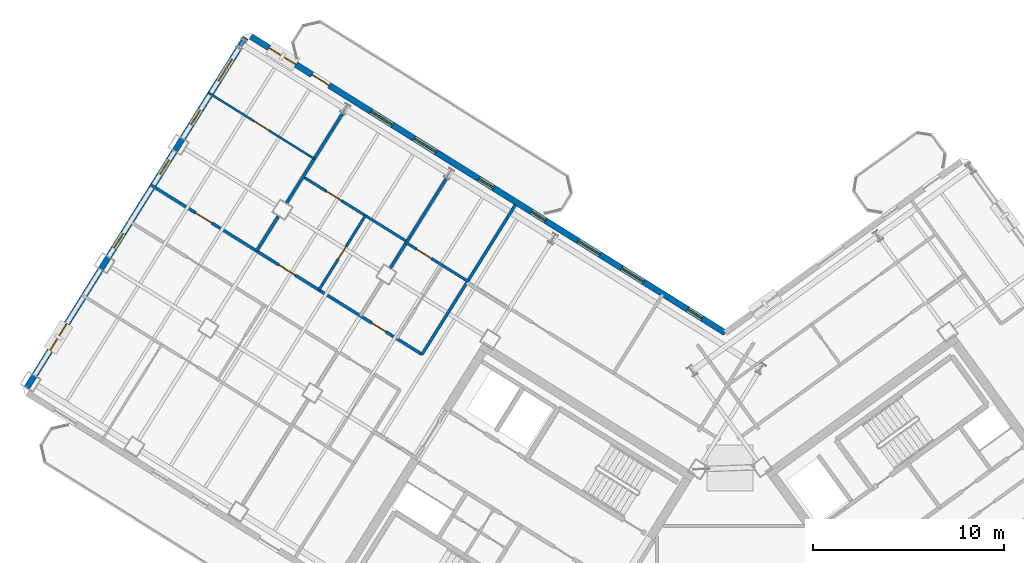
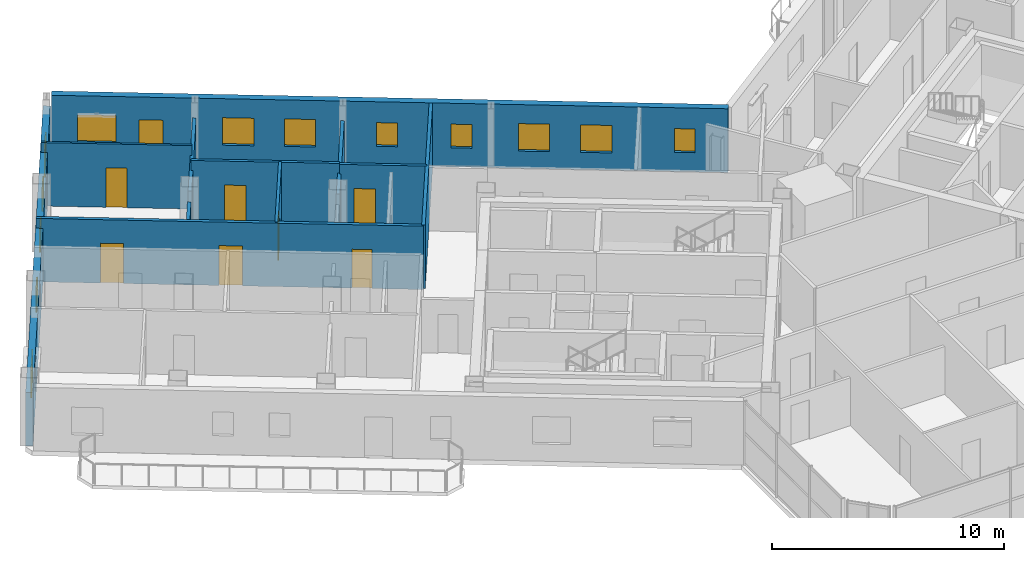
# One storey, part 17 of 23: 13 windows, 11 walls, 8 doors, 21 openings.
"""IFC4 building model written with IfcOpenShell, lengths in metres."""

from ifc_helpers import new_model, si_unit, direction, frame, frame_2d, origin, place, context, subcontext, project, spatial, rectangle, extrude, source, transform, mapped, material, layer, layer_set, type_object, element, fill, save


model = new_model("IFC4")

# Units and contexts
model_context = context("Model", 3, precision=1e-05, world=origin(), true_north=direction((0.0, 1.0)))
body_context = subcontext(model_context, "Body", "Model", "MODEL_VIEW")
ifc_project = project(units=[si_unit("LENGTHUNIT", "METRE"), si_unit("AREAUNIT", "SQUARE_METRE"), si_unit("VOLUMEUNIT", "CUBIC_METRE"), si_unit("PLANEANGLEUNIT", "RADIAN"), si_unit("MASSUNIT", "GRAM", prefix="KILO")], contexts=[model_context])

# Site, building, storey
site_placement = place(None, origin())
site = spatial("IfcSite", under=ifc_project, at=site_placement, CompositionType="ELEMENT")
building_placement = place(site_placement, origin())
building = spatial("IfcBuilding", under=site, at=building_placement, Name="Tlacorven Tower", CompositionType="ELEMENT")
storey_placement = place(building_placement, frame((0.0, 0.0, 218.39990234375)))
storey = spatial("IfcBuildingStorey", under=building, at=storey_placement, Name="L55", CompositionType="ELEMENT", Elevation=218.39990234375)

# Wall
ifc_material_1 = material(Name="Gypsum plasterboard acoustic partition", Category="gypsum")
ifc_layer_1 = layer(ifc_material_1, 0.159912109375)
ifc_layer_set_1 = layer_set([ifc_layer_1], Name="Gypsum plasterboard acoustic partition")
wall_type_1 = type_object("IfcWallType", Name="WL-DEM-160", PredefinedType="PARTITIONING", material=ifc_layer_set_1)
wall_1_placement = place(storey_placement, frame((31.238525390625, 38.27392578125, 0.0), z_axis=(0.0, 0.0, 1.0), x_axis=(-0.529920220799, -0.848047498427, 0.0)))
element("IfcWall", 1, at=wall_1_placement, inside=storey, type_object=wall_type_1, Name="L55 partition 40", PredefinedType="PARTITIONING", context=body_context, shape_type="SweptSolid", body=[
    extrude(rectangle(XDim=9.199951171875, YDim=0.159912109375, at=frame_2d((4.60009765625, 0.0))), origin(), (0.0, 0.0, 1.0), 3.340087890625),
])

# Wall, openings, doors
wall_2_placement = place(storey_placement, frame((26.36328125, 30.471923828125, 0.0), z_axis=(0.0, 0.0, 1.0), x_axis=(-0.848052408131, 0.529912363569, 0.0)))
wall_2 = element("IfcWall", 2, at=wall_2_placement, inside=storey, type_object=wall_type_1, Name="L55 Wing W Corridor South Wall", PredefinedType="PARTITIONING", context=body_context, shape_type="SweptSolid", body=[
    extrude(rectangle(XDim=16.72998046875, YDim=0.159912109375, at=frame_2d((8.364990234375, 0.0))), origin(), (0.0, 0.0, 1.0), 3.340087890625),
])
opening_1_placement = place(wall_2_placement, frame((2.219970703125, 0.0, 0.0)))
opening_1 = element("IfcOpeningElement", 3, at=opening_1_placement, cuts=wall_2, Name="Opening D19", PredefinedType="OPENING", context=body_context, shape_type="SweptSolid", body=[
    extrude(rectangle(XDim=0.860107421875, YDim=2.050048828125, at=frame_2d((0.43017578125, 1.02490234375))), frame((0.0, 0.08984375, 0.0), z_axis=(0.0, -1.0, 0.0), x_axis=(1.0, 0.0, 0.0)), (0.0, 0.0, 1.0), 0.179931640625),
])
opening_2_placement = place(wall_2_placement, frame((7.820068359375, 0.0, 0.0)))
opening_2 = element("IfcOpeningElement", 4, at=opening_2_placement, cuts=wall_2, Name="Opening D11", PredefinedType="OPENING", context=body_context, shape_type="SweptSolid", body=[
    extrude(rectangle(XDim=1.0, YDim=2.10009765625, at=frame_2d((0.5, 1.050048828125))), frame((0.0, 0.08984375, 0.0), z_axis=(0.0, -1.0, 0.0), x_axis=(1.0, 0.0, 0.0)), (0.0, 0.0, 1.0), 0.179931640625),
])
opening_3_placement = place(wall_2_placement, frame((12.949951171875, 0.0, 0.0)))
opening_3 = element("IfcOpeningElement", 5, at=opening_3_placement, cuts=wall_2, Name="Opening D11", PredefinedType="OPENING", context=body_context, shape_type="SweptSolid", body=[
    extrude(rectangle(XDim=1.0, YDim=2.10009765625, at=frame_2d((0.5, 1.050048828125))), frame((0.0, 0.08984375, 0.0), z_axis=(0.0, -1.0, 0.0), x_axis=(1.0, 0.0, 0.0)), (0.0, 0.0, 1.0), 0.179931640625),
])
ifc_material_2 = material(Name="Fire-rated steel door assembly", Category="steel")
door_type_1 = type_object("IfcDoorType", Name="DR-RSR-FD60-0860", OperationType="NOTDEFINED", PredefinedType="DOOR", material=ifc_material_2)
shared_shape_1 = source(origin(), body_context, "Body", "SweptSolid", [
    extrude(rectangle(XDim=0.860107421875, YDim=2.050048828125, at=frame_2d((0.43017578125, 1.02490234375))), frame((0.0, 0.02490234375, 0.0), z_axis=(0.0, -1.0, 0.0), x_axis=(1.0, 0.0, 0.0)), (0.0, 0.0, 1.0), 0.050048828125),
])
door_1_placement = place(opening_1_placement, origin())
door_1 = element("IfcDoor", 6, at=door_1_placement, inside=storey, type_object=door_type_1, Name="L55 door 030", OperationType="SINGLE_SWING_RIGHT", OverallHeight=2.050048828125, OverallWidth=0.860107421875, PredefinedType="DOOR", context=body_context, shape_type="MappedRepresentation", body=[
    mapped(shared_shape_1, transform((0.0, 0.0, 0.0), scale=1.0)),
])
fill(opening_1, door_1)
door_type_2 = type_object("IfcDoorType", Name="DR-FLT-FD60-1000", OperationType="NOTDEFINED", PredefinedType="DOOR", material=ifc_material_2)
shared_shape_2 = source(origin(), body_context, "Body", "SweptSolid", [
    extrude(rectangle(XDim=1.0, YDim=2.10009765625, at=frame_2d((0.5, 1.050048828125))), frame((0.0, 0.02490234375, 0.0), z_axis=(0.0, -1.0, 0.0), x_axis=(1.0, 0.0, 0.0)), (0.0, 0.0, 1.0), 0.050048828125),
])
door_2_placement = place(opening_2_placement, origin())
door_2 = element("IfcDoor", 7, at=door_2_placement, inside=storey, type_object=door_type_2, Name="L55 door 033", OperationType="SINGLE_SWING_LEFT", OverallHeight=2.10009765625, OverallWidth=1.0, PredefinedType="DOOR", context=body_context, shape_type="MappedRepresentation", body=[
    mapped(shared_shape_2, transform((0.0, 0.0, 0.0), scale=1.0)),
])
fill(opening_2, door_2)
door_3_placement = place(opening_3_placement, origin())
door_3 = element("IfcDoor", 8, at=door_3_placement, inside=storey, type_object=door_type_2, Name="L55 door 036", OperationType="SINGLE_SWING_RIGHT", OverallHeight=2.10009765625, OverallWidth=1.0, PredefinedType="DOOR", context=body_context, shape_type="MappedRepresentation", body=[
    mapped(shared_shape_2, transform((0.0, 0.0, 0.0), scale=1.0)),
])
fill(opening_3, door_3)

# Walls
wall_3_placement = place(storey_placement, frame((27.6337890625, 39.657470703125, 0.0), z_axis=(0.0, 0.0, 1.0), x_axis=(-0.529899205623, -0.848060629837, 0.0)))
element("IfcWall", 9, at=wall_3_placement, inside=storey, type_object=wall_type_1, Name="L55 WS Demising Wall 1", PredefinedType="PARTITIONING", context=body_context, shape_type="SweptSolid", body=[
    extrude(rectangle(XDim=5.501220703125, YDim=0.159912109375, at=frame_2d((2.75048828125, 0.0))), origin(), (0.0, 0.0, 1.0), 2.8251953125),
])
wall_4_placement = place(storey_placement, frame((22.206298828125, 43.048828125, 0.0), z_axis=(0.0, 0.0, 1.0), x_axis=(-0.529919150083, -0.848048167486, 0.0)))
element("IfcWall", 10, at=wall_4_placement, inside=storey, type_object=wall_type_1, Name="L55 WS Demising Wall 2", PredefinedType="PARTITIONING", context=body_context, shape_type="SweptSolid", body=[
    extrude(rectangle(XDim=5.5009765625, YDim=0.159912109375, at=frame_2d((2.75048828125, 0.0))), origin(), (0.0, 0.0, 1.0), 2.8251953125),
])
wall_5_placement = place(storey_placement, frame((18.8544921875, 37.684814453125, 0.0), z_axis=(0.0, 0.0, 1.0), x_axis=(-0.52989628283, -0.848062456098, 0.0)))
element("IfcWall", 11, at=wall_5_placement, inside=storey, type_object=wall_type_1, Name="L55 WS Demising Wall 2", PredefinedType="PARTITIONING", context=body_context, shape_type="SweptSolid", body=[
    extrude(rectangle(XDim=2.1376953125, YDim=0.159912109375, at=frame_2d((1.06884765625, 0.0))), origin(), (0.0, 0.0, 1.0), 2.8251953125),
])

# Wall, openings, windows
ifc_material_3 = material(Name="Precast concrete C45/55", Category="concrete")
ifc_layer_2 = layer(ifc_material_3, 0.320068359375)
ifc_layer_set_2 = layer_set([ifc_layer_2], Name="Precast concrete C45/55")
wall_type_2 = type_object("IfcWallType", Name="WL-EXT-320", PredefinedType="STANDARD", material=ifc_layer_set_2)
wall_6_placement = place(storey_placement, frame((5.699951171875, 28.71044921875, 0.0), z_axis=(0.0, 0.0, 1.0), x_axis=(0.529923711467, 0.8480453172, 0.0)))
wall_6 = element("IfcWall", 12, at=wall_6_placement, inside=storey, type_object=wall_type_2, Name="L55 Masonry-Frame Recessed Facade Wall 2", PredefinedType="STANDARD", context=body_context, shape_type="SweptSolid", body=[
    extrude(rectangle(XDim=21.58740234375, YDim=0.320068359375, at=frame_2d((10.793701171875, 0.0))), origin(), (0.0, 0.0, 1.0), 2.8251953125),
])
opening_4_placement = place(wall_6_placement, frame((2.318603515625, 0.0, 0.89990234375)))
opening_4 = element("IfcOpeningElement", 13, at=opening_4_placement, cuts=wall_6, Name="Opening WN07", PredefinedType="OPENING", context=body_context, shape_type="SweptSolid", body=[
    extrude(rectangle(XDim=1.64990234375, YDim=1.449951171875, at=frame_2d((0.824951171875, 0.72509765625))), frame((0.0, 0.169921875, 0.0), z_axis=(0.0, -1.0, 0.0), x_axis=(1.0, 0.0, 0.0)), (0.0, 0.0, 1.0), 0.340087890625),
])
opening_5_placement = place(wall_6_placement, frame((8.628662109375, 0.0, 1.0)))
opening_5 = element("IfcOpeningElement", 14, at=opening_5_placement, cuts=wall_6, Name="Opening WN05", PredefinedType="OPENING", context=body_context, shape_type="SweptSolid", body=[
    extrude(rectangle(XDim=0.89990234375, YDim=1.25, at=frame_2d((0.449951171875, 0.625))), frame((0.0, 0.169921875, 0.0), z_axis=(0.0, -1.0, 0.0), x_axis=(1.0, 0.0, 0.0)), (0.0, 0.0, 1.0), 0.340087890625),
])
opening_6_placement = place(wall_6_placement, frame((13.15869140625, 0.0, 1.0)))
opening_6 = element("IfcOpeningElement", 15, at=opening_6_placement, cuts=wall_6, Name="Opening WN05", PredefinedType="OPENING", context=body_context, shape_type="SweptSolid", body=[
    extrude(rectangle(XDim=0.89990234375, YDim=1.25, at=frame_2d((0.449951171875, 0.625))), frame((0.0, 0.169921875, 0.0), z_axis=(0.0, -1.0, 0.0), x_axis=(1.0, 0.0, 0.0)), (0.0, 0.0, 1.0), 0.340087890625),
])
opening_7_placement = place(wall_6_placement, frame((16.232177734375, 0.0, 1.0)))
opening_7 = element("IfcOpeningElement", 16, at=opening_7_placement, cuts=wall_6, Name="Opening WN05", PredefinedType="OPENING", context=body_context, shape_type="SweptSolid", body=[
    extrude(rectangle(XDim=0.89990234375, YDim=1.25, at=frame_2d((0.449951171875, 0.625))), frame((0.0, 0.169921875, 0.0), z_axis=(0.0, -1.0, 0.0), x_axis=(1.0, 0.0, 0.0)), (0.0, 0.0, 1.0), 0.340087890625),
])
opening_8_placement = place(wall_6_placement, frame((18.9248046875, 0.0, 0.89990234375)))
opening_8 = element("IfcOpeningElement", 17, at=opening_8_placement, cuts=wall_6, Name="Opening WN08", PredefinedType="OPENING", context=body_context, shape_type="SweptSolid", body=[
    extrude(rectangle(XDim=1.35009765625, YDim=1.449951171875, at=frame_2d((0.675048828125, 0.72509765625))), frame((0.0, 0.169921875, 0.0), z_axis=(0.0, -1.0, 0.0), x_axis=(1.0, 0.0, 0.0)), (0.0, 0.0, 1.0), 0.340087890625),
])
ifc_material_4 = material(Name="Dark solar low-E double glazing in anodised aluminium frame", Category="aluminium")
window_type_1 = type_object("IfcWindowType", Name="WN-APT-0900X1350", PartitioningType="SINGLE_PANEL", PredefinedType="WINDOW", material=ifc_material_4)
shared_shape_3 = source(origin(), body_context, "Body", "SweptSolid", [
    extrude(rectangle(XDim=0.89990234375, YDim=1.25, at=frame_2d((0.449951171875, 0.625))), frame((0.0, 0.030029296875, 0.0), z_axis=(0.0, -1.0, 0.0), x_axis=(1.0, 0.0, 0.0)), (0.0, 0.0, 1.0), 0.06005859375),
])
window_1_placement = place(opening_5_placement, origin())
window_1 = element("IfcWindow", 18, at=window_1_placement, inside=storey, type_object=window_type_1, Name="L55 Recessed Masonry-Frame Window L55-02.2", OverallHeight=1.25, OverallWidth=0.89990234375, PartitioningType="SINGLE_PANEL", PredefinedType="WINDOW", context=body_context, shape_type="MappedRepresentation", body=[
    mapped(shared_shape_3, transform((0.0, 0.0, 0.0), scale=1.0)),
])
fill(opening_5, window_1)
window_2_placement = place(opening_6_placement, origin())
window_2 = element("IfcWindow", 19, at=window_2_placement, inside=storey, type_object=window_type_1, Name="L55 Recessed Masonry-Frame Window L55-02.3", OverallHeight=1.25, OverallWidth=0.89990234375, PartitioningType="SINGLE_PANEL", PredefinedType="WINDOW", context=body_context, shape_type="MappedRepresentation", body=[
    mapped(shared_shape_3, transform((0.0, 0.0, 0.0), scale=1.0)),
])
fill(opening_6, window_2)
window_3_placement = place(opening_7_placement, origin())
window_3 = element("IfcWindow", 20, at=window_3_placement, inside=storey, type_object=window_type_1, Name="L55 Recessed Masonry-Frame Window L55-02.4", OverallHeight=1.25, OverallWidth=0.89990234375, PartitioningType="SINGLE_PANEL", PredefinedType="WINDOW", context=body_context, shape_type="MappedRepresentation", body=[
    mapped(shared_shape_3, transform((0.0, 0.0, 0.0), scale=1.0)),
])
fill(opening_7, window_3)
window_type_2 = type_object("IfcWindowType", Name="WN-APT-1650X1600", PartitioningType="SINGLE_PANEL", PredefinedType="WINDOW", material=ifc_material_4)
shared_shape_4 = source(origin(), body_context, "Body", "SweptSolid", [
    extrude(rectangle(XDim=1.64990234375, YDim=1.449951171875, at=frame_2d((0.824951171875, 0.72509765625))), frame((0.0, 0.030029296875, 0.0), z_axis=(0.0, -1.0, 0.0), x_axis=(1.0, 0.0, 0.0)), (0.0, 0.0, 1.0), 0.06005859375),
])
window_4_placement = place(opening_4_placement, origin())
window_4 = element("IfcWindow", 21, at=window_4_placement, inside=storey, type_object=window_type_2, Name="L55 Recessed Masonry-Frame Window L55-02.1", OverallHeight=1.449951171875, OverallWidth=1.64990234375, PartitioningType="SINGLE_PANEL", PredefinedType="WINDOW", context=body_context, shape_type="MappedRepresentation", body=[
    mapped(shared_shape_4, transform((0.0, 0.0, 0.0), scale=1.0)),
])
fill(opening_4, window_4)
window_type_3 = type_object("IfcWindowType", Name="WN-APT-1350X1550", PartitioningType="SINGLE_PANEL", PredefinedType="WINDOW", material=ifc_material_4)
shared_shape_5 = source(origin(), body_context, "Body", "SweptSolid", [
    extrude(rectangle(XDim=1.35009765625, YDim=1.449951171875, at=frame_2d((0.675048828125, 0.72509765625))), frame((0.0, 0.030029296875, 0.0), z_axis=(0.0, -1.0, 0.0), x_axis=(1.0, 0.0, 0.0)), (0.0, 0.0, 1.0), 0.06005859375),
])
window_5_placement = place(opening_8_placement, origin())
window_5 = element("IfcWindow", 22, at=window_5_placement, inside=storey, type_object=window_type_3, Name="L55 Recessed Masonry-Frame Window L55-02.5", OverallHeight=1.449951171875, OverallWidth=1.35009765625, PartitioningType="SINGLE_PANEL", PredefinedType="WINDOW", context=body_context, shape_type="MappedRepresentation", body=[
    mapped(shared_shape_5, transform((0.0, 0.0, 0.0), scale=1.0)),
])
fill(opening_8, window_5)

# Wall, openings, door, windows
wall_7_placement = place(storey_placement, frame((17.423828125, 47.083251953125, 0.0), z_axis=(0.0, 0.0, 1.0), x_axis=(0.848049927979, -0.529916332693, 0.0)))
wall_7 = element("IfcWall", 23, at=wall_7_placement, inside=storey, type_object=wall_type_2, Name="L55 Masonry-Frame Recessed Facade Wall 3", PredefinedType="STANDARD", context=body_context, shape_type="SweptSolid", body=[
    extrude(rectangle(XDim=29.22314453125, YDim=0.320068359375, at=frame_2d((14.611572265625, 0.0))), origin(), (0.0, 0.0, 1.0), 3.35009765625),
])
opening_9_placement = place(wall_7_placement, frame((3.77001953125, 0.0, 0.0)))
opening_9 = element("IfcOpeningElement", 24, at=opening_9_placement, cuts=wall_7, Name="Opening D06", PredefinedType="OPENING", context=body_context, shape_type="SweptSolid", body=[
    extrude(rectangle(XDim=1.050048828125, YDim=2.14990234375, at=frame_2d((0.52490234375, 1.074951171875))), frame((0.0, 0.169921875, 0.0), z_axis=(0.0, -1.0, 0.0), x_axis=(1.0, 0.0, 0.0)), (0.0, 0.0, 1.0), 0.340087890625),
])
opening_10_placement = place(wall_7_placement, frame((1.125, 0.0, 0.89990234375)))
opening_10 = element("IfcOpeningElement", 25, at=opening_10_placement, cuts=wall_7, Name="Opening WN07", PredefinedType="OPENING", context=body_context, shape_type="SweptSolid", body=[
    extrude(rectangle(XDim=1.64990234375, YDim=1.449951171875, at=frame_2d((0.824951171875, 0.72509765625))), frame((0.0, 0.169921875, 0.0), z_axis=(0.0, -1.0, 0.0), x_axis=(1.0, 0.0, 0.0)), (0.0, 0.0, 1.0), 0.340087890625),
])
opening_11_placement = place(wall_7_placement, frame((7.3837890625, 0.0, 0.89990234375)))
opening_11 = element("IfcOpeningElement", 26, at=opening_11_placement, cuts=wall_7, Name="Opening WN08", PredefinedType="OPENING", context=body_context, shape_type="SweptSolid", body=[
    extrude(rectangle(XDim=1.35009765625, YDim=1.449951171875, at=frame_2d((0.675048828125, 0.72509765625))), frame((0.0, 0.169921875, 0.0), z_axis=(0.0, -1.0, 0.0), x_axis=(1.0, 0.0, 0.0)), (0.0, 0.0, 1.0), 0.340087890625),
])
opening_12_placement = place(wall_7_placement, frame((10.0537109375, 0.0, 0.89990234375)))
opening_12 = element("IfcOpeningElement", 27, at=opening_12_placement, cuts=wall_7, Name="Opening WN08", PredefinedType="OPENING", context=body_context, shape_type="SweptSolid", body=[
    extrude(rectangle(XDim=1.35009765625, YDim=1.449951171875, at=frame_2d((0.675048828125, 0.72509765625))), frame((0.0, 0.169921875, 0.0), z_axis=(0.0, -1.0, 0.0), x_axis=(1.0, 0.0, 0.0)), (0.0, 0.0, 1.0), 0.340087890625),
])
opening_13_placement = place(wall_7_placement, frame((14.038818359375, 0.0, 1.0)))
opening_13 = element("IfcOpeningElement", 28, at=opening_13_placement, cuts=wall_7, Name="Opening WN05", PredefinedType="OPENING", context=body_context, shape_type="SweptSolid", body=[
    extrude(rectangle(XDim=0.89990234375, YDim=1.25, at=frame_2d((0.449951171875, 0.625))), frame((0.0, 0.169921875, 0.0), z_axis=(0.0, -1.0, 0.0), x_axis=(1.0, 0.0, 0.0)), (0.0, 0.0, 1.0), 0.340087890625),
])
opening_14_placement = place(wall_7_placement, frame((17.253662109375, 0.0, 1.0)))
opening_14 = element("IfcOpeningElement", 29, at=opening_14_placement, cuts=wall_7, Name="Opening WN05", PredefinedType="OPENING", context=body_context, shape_type="SweptSolid", body=[
    extrude(rectangle(XDim=0.89990234375, YDim=1.25, at=frame_2d((0.449951171875, 0.625))), frame((0.0, 0.169921875, 0.0), z_axis=(0.0, -1.0, 0.0), x_axis=(1.0, 0.0, 0.0)), (0.0, 0.0, 1.0), 0.340087890625),
])
opening_15_placement = place(wall_7_placement, frame((20.1611328125, 0.0, 0.89990234375)))
opening_15 = element("IfcOpeningElement", 30, at=opening_15_placement, cuts=wall_7, Name="Opening WN08", PredefinedType="OPENING", context=body_context, shape_type="SweptSolid", body=[
    extrude(rectangle(XDim=1.35009765625, YDim=1.449951171875, at=frame_2d((0.675048828125, 0.72509765625))), frame((0.0, 0.169921875, 0.0), z_axis=(0.0, -1.0, 0.0), x_axis=(1.0, 0.0, 0.0)), (0.0, 0.0, 1.0), 0.340087890625),
])
opening_16_placement = place(wall_7_placement, frame((22.84619140625, 0.0, 0.89990234375)))
opening_16 = element("IfcOpeningElement", 31, at=opening_16_placement, cuts=wall_7, Name="Opening WN08", PredefinedType="OPENING", context=body_context, shape_type="SweptSolid", body=[
    extrude(rectangle(XDim=1.35009765625, YDim=1.449951171875, at=frame_2d((0.675048828125, 0.72509765625))), frame((0.0, 0.169921875, 0.0), z_axis=(0.0, -1.0, 0.0), x_axis=(1.0, 0.0, 0.0)), (0.0, 0.0, 1.0), 0.340087890625),
])
opening_17_placement = place(wall_7_placement, frame((26.8984375, 0.0, 1.0)))
opening_17 = element("IfcOpeningElement", 32, at=opening_17_placement, cuts=wall_7, Name="Opening WN05", PredefinedType="OPENING", context=body_context, shape_type="SweptSolid", body=[
    extrude(rectangle(XDim=0.89990234375, YDim=1.25, at=frame_2d((0.449951171875, 0.625))), frame((0.0, 0.169921875, 0.0), z_axis=(0.0, -1.0, 0.0), x_axis=(1.0, 0.0, 0.0)), (0.0, 0.0, 1.0), 0.340087890625),
])
ifc_material_5 = material(Name="Powder-coated aluminium and timber door", Category="wood")
door_type_3 = type_object("IfcDoorType", Name="DR-EXT-BALC-1050", OperationType="NOTDEFINED", PredefinedType="DOOR", material=ifc_material_5)
shared_shape_6 = source(origin(), body_context, "Body", "SweptSolid", [
    extrude(rectangle(XDim=1.050048828125, YDim=2.14990234375, at=frame_2d((0.52490234375, 1.074951171875))), frame((0.0, 0.02490234375, 0.0), z_axis=(0.0, -1.0, 0.0), x_axis=(1.0, 0.0, 0.0)), (0.0, 0.0, 1.0), 0.050048828125),
])
door_4_placement = place(opening_9_placement, origin())
door_4 = element("IfcDoor", 33, at=door_4_placement, inside=storey, type_object=door_type_3, Name="L55 Outdoor Access Door BAL-L55-W-IN", OperationType="SINGLE_SWING_RIGHT", OverallHeight=2.14990234375, OverallWidth=1.050048828125, PredefinedType="DOOR", context=body_context, shape_type="MappedRepresentation", body=[
    mapped(shared_shape_6, transform((0.0, 0.0, 0.0), scale=1.0)),
])
fill(opening_9, door_4)
window_6_placement = place(opening_13_placement, origin())
window_6 = element("IfcWindow", 34, at=window_6_placement, inside=storey, type_object=window_type_1, Name="L55 Recessed Masonry-Frame Window L55-03.4", OverallHeight=1.25, OverallWidth=0.89990234375, PartitioningType="SINGLE_PANEL", PredefinedType="WINDOW", context=body_context, shape_type="MappedRepresentation", body=[
    mapped(shared_shape_3, transform((0.0, 0.0, 0.0), scale=1.0)),
])
fill(opening_13, window_6)
window_7_placement = place(opening_14_placement, origin())
window_7 = element("IfcWindow", 35, at=window_7_placement, inside=storey, type_object=window_type_1, Name="L55 Recessed Masonry-Frame Window L55-03.5", OverallHeight=1.25, OverallWidth=0.89990234375, PartitioningType="SINGLE_PANEL", PredefinedType="WINDOW", context=body_context, shape_type="MappedRepresentation", body=[
    mapped(shared_shape_3, transform((0.0, 0.0, 0.0), scale=1.0)),
])
fill(opening_14, window_7)
window_8_placement = place(opening_17_placement, origin())
window_8 = element("IfcWindow", 36, at=window_8_placement, inside=storey, type_object=window_type_1, Name="L55 Recessed Masonry-Frame Window L55-03.8", OverallHeight=1.25, OverallWidth=0.89990234375, PartitioningType="SINGLE_PANEL", PredefinedType="WINDOW", context=body_context, shape_type="MappedRepresentation", body=[
    mapped(shared_shape_3, transform((0.0, 0.0, 0.0), scale=1.0)),
])
fill(opening_17, window_8)
window_9_placement = place(opening_10_placement, origin())
window_9 = element("IfcWindow", 37, at=window_9_placement, inside=storey, type_object=window_type_2, Name="L55 Recessed Masonry-Frame Window L55-03.1", OverallHeight=1.449951171875, OverallWidth=1.64990234375, PartitioningType="SINGLE_PANEL", PredefinedType="WINDOW", context=body_context, shape_type="MappedRepresentation", body=[
    mapped(shared_shape_4, transform((0.0, 0.0, 0.0), scale=1.0)),
])
fill(opening_10, window_9)
window_10_placement = place(opening_11_placement, origin())
window_10 = element("IfcWindow", 38, at=window_10_placement, inside=storey, type_object=window_type_3, Name="L55 Recessed Masonry-Frame Window L55-03.2", OverallHeight=1.449951171875, OverallWidth=1.35009765625, PartitioningType="SINGLE_PANEL", PredefinedType="WINDOW", context=body_context, shape_type="MappedRepresentation", body=[
    mapped(shared_shape_5, transform((0.0, 0.0, 0.0), scale=1.0)),
])
fill(opening_11, window_10)
window_11_placement = place(opening_12_placement, origin())
window_11 = element("IfcWindow", 39, at=window_11_placement, inside=storey, type_object=window_type_3, Name="L55 Recessed Masonry-Frame Window L55-03.3", OverallHeight=1.449951171875, OverallWidth=1.35009765625, PartitioningType="SINGLE_PANEL", PredefinedType="WINDOW", context=body_context, shape_type="MappedRepresentation", body=[
    mapped(shared_shape_5, transform((0.0, 0.0, 0.0), scale=1.0)),
])
fill(opening_12, window_11)
window_12_placement = place(opening_15_placement, origin())
window_12 = element("IfcWindow", 40, at=window_12_placement, inside=storey, type_object=window_type_3, Name="L55 Recessed Masonry-Frame Window L55-03.6", OverallHeight=1.449951171875, OverallWidth=1.35009765625, PartitioningType="SINGLE_PANEL", PredefinedType="WINDOW", context=body_context, shape_type="MappedRepresentation", body=[
    mapped(shared_shape_5, transform((0.0, 0.0, 0.0), scale=1.0)),
])
fill(opening_15, window_12)
window_13_placement = place(opening_16_placement, origin())
window_13 = element("IfcWindow", 41, at=window_13_placement, inside=storey, type_object=window_type_3, Name="L55 Recessed Masonry-Frame Window L55-03.7", OverallHeight=1.449951171875, OverallWidth=1.35009765625, PartitioningType="SINGLE_PANEL", PredefinedType="WINDOW", context=body_context, shape_type="MappedRepresentation", body=[
    mapped(shared_shape_5, transform((0.0, 0.0, 0.0), scale=1.0)),
])
fill(opening_16, window_13)

# Wall, opening, door
ifc_material_6 = material(Name="Gypsum plasterboard partition", Category="gypsum")
ifc_layer_3 = layer(ifc_material_6, 0.110107421875)
ifc_layer_set_3 = layer_set([ifc_layer_3], Name="Gypsum plasterboard partition")
wall_type_3 = type_object("IfcWallType", Name="WL-INT-110", PredefinedType="PARTITIONING", material=ifc_layer_set_3)
wall_8_placement = place(storey_placement, frame((20.732666015625, 40.6904296875, 0.0), z_axis=(0.0, 0.0, 1.0), x_axis=(-0.848048787466, 0.529918157905, 0.0)))
wall_8 = element("IfcWall", 42, at=wall_8_placement, inside=storey, type_object=wall_type_3, Name="L55 partition 57", PredefinedType="PARTITIONING", context=body_context, shape_type="SweptSolid", body=[
    extrude(rectangle(XDim=6.52001953125, YDim=0.110107421875, at=frame_2d((3.260009765625, 0.0))), origin(), (0.0, 0.0, 1.0), 3.340087890625),
])
opening_18_placement = place(wall_8_placement, frame((2.800048828125, 0.0, 0.0)))
opening_18 = element("IfcOpeningElement", 43, at=opening_18_placement, cuts=wall_8, Name="Opening D12", PredefinedType="OPENING", context=body_context, shape_type="SweptSolid", body=[
    extrude(rectangle(XDim=0.919921875, YDim=2.080078125, at=frame_2d((0.4599609375, 1.0400390625))), frame((0.0, 0.06494140625, 0.0), z_axis=(0.0, -1.0, 0.0), x_axis=(1.0, 0.0, 0.0)), (0.0, 0.0, 1.0), 0.130126953125),
])
door_type_4 = type_object("IfcDoorType", Name="DR-INT-ROOM-0920", OperationType="NOTDEFINED", PredefinedType="DOOR", material=ifc_material_5)
shared_shape_7 = source(origin(), body_context, "Body", "SweptSolid", [
    extrude(rectangle(XDim=0.919921875, YDim=2.080078125, at=frame_2d((0.4599609375, 1.0400390625))), frame((0.0, 0.02490234375, 0.0), z_axis=(0.0, -1.0, 0.0), x_axis=(1.0, 0.0, 0.0)), (0.0, 0.0, 1.0), 0.050048828125),
])
door_5_placement = place(opening_18_placement, origin())
door_5 = element("IfcDoor", 44, at=door_5_placement, inside=storey, type_object=door_type_4, Name="L55 door 037", OperationType="SINGLE_SWING_LEFT", OverallHeight=2.080078125, OverallWidth=0.919921875, PredefinedType="DOOR", context=body_context, shape_type="MappedRepresentation", body=[
    mapped(shared_shape_7, transform((0.0, 0.0, 0.0), scale=1.0)),
])
fill(opening_18, door_5)

ifc_material_7 = material(Name="Moisture-resistant gypsum plumbing wall", Category="gypsum")
ifc_layer_4 = layer(ifc_material_7, 0.139892578125)
ifc_layer_set_4 = layer_set([ifc_layer_4], Name="Moisture-resistant gypsum plumbing wall")
wall_type_4 = type_object("IfcWallType", Name="WL-PLM-140", PredefinedType="PLUMBINGWALL", material=ifc_layer_set_4)
wall_9_placement = place(storey_placement, frame((28.753173828125, 34.296630859375, 0.0), z_axis=(0.0, 0.0, 1.0), x_axis=(-0.848059820872, 0.529900500304, 0.0)))
wall_9 = element("IfcWall", 45, at=wall_9_placement, inside=storey, type_object=wall_type_4, Name="L55 partition 52", PredefinedType="PLUMBINGWALL", context=body_context, shape_type="SweptSolid", body=[
    extrude(rectangle(XDim=3.7900390625, YDim=0.139892578125, at=frame_2d((1.89501953125, 0.0))), origin(), (0.0, 0.0, 1.0), 3.340087890625),
])
opening_19_placement = place(wall_9_placement, frame((2.22998046875, 0.0, 0.0)))
opening_19 = element("IfcOpeningElement", 46, at=opening_19_placement, cuts=wall_9, Name="Opening D12", PredefinedType="OPENING", context=body_context, shape_type="SweptSolid", body=[
    extrude(rectangle(XDim=0.919921875, YDim=2.080078125, at=frame_2d((0.4599609375, 1.0400390625))), frame((0.0, 0.080078125, 0.0), z_axis=(0.0, -1.0, 0.0), x_axis=(1.0, 0.0, 0.0)), (0.0, 0.0, 1.0), 0.159912109375),
])
door_6_placement = place(opening_19_placement, origin())
door_6 = element("IfcDoor", 47, at=door_6_placement, inside=storey, type_object=door_type_4, Name="L55 door 031", OperationType="SINGLE_SWING_LEFT", OverallHeight=2.080078125, OverallWidth=0.919921875, PredefinedType="DOOR", context=body_context, shape_type="MappedRepresentation", body=[
    mapped(shared_shape_7, transform((0.0, 0.0, 0.0), scale=1.0)),
])
fill(opening_19, door_6)

wall_10_placement = place(storey_placement, frame((25.576171875, 36.364501953125, 0.0), z_axis=(0.0, 0.0, 1.0), x_axis=(-0.848056163074, 0.529906354247, 0.0)))
wall_10 = element("IfcWall", 48, at=wall_10_placement, inside=storey, type_object=wall_type_4, Name="L55 partition 55", PredefinedType="PLUMBINGWALL", context=body_context, shape_type="SweptSolid", body=[
    extrude(rectangle(XDim=6.39990234375, YDim=0.139892578125, at=frame_2d((3.199951171875, 0.0))), origin(), (0.0, 0.0, 1.0), 3.340087890625),
])
opening_20_placement = place(wall_10_placement, frame((4.0400390625, 0.0, 0.0)))
opening_20 = element("IfcOpeningElement", 49, at=opening_20_placement, cuts=wall_10, Name="Opening D12", PredefinedType="OPENING", context=body_context, shape_type="SweptSolid", body=[
    extrude(rectangle(XDim=0.919921875, YDim=2.080078125, at=frame_2d((0.4599609375, 1.0400390625))), frame((0.0, 0.080078125, 0.0), z_axis=(0.0, -1.0, 0.0), x_axis=(1.0, 0.0, 0.0)), (0.0, 0.0, 1.0), 0.159912109375),
])
door_7_placement = place(opening_20_placement, origin())
door_7 = element("IfcDoor", 50, at=door_7_placement, inside=storey, type_object=door_type_4, Name="L55 door 034", OperationType="SINGLE_SWING_RIGHT", OverallHeight=2.080078125, OverallWidth=0.919921875, PredefinedType="DOOR", context=body_context, shape_type="MappedRepresentation", body=[
    mapped(shared_shape_7, transform((0.0, 0.0, 0.0), scale=1.0)),
])
fill(opening_20, door_7)

wall_11_placement = place(storey_placement, frame((23.4052734375, 37.720947265625, 0.0), z_axis=(0.0, 0.0, 1.0), x_axis=(-0.529955816375, -0.848025254748, 0.0)))
wall_11 = element("IfcWall", 51, at=wall_11_placement, inside=storey, type_object=wall_type_4, Name="L55 partition 56", PredefinedType="PLUMBINGWALL", context=body_context, shape_type="SweptSolid", body=[
    extrude(rectangle(XDim=4.580078125, YDim=0.139892578125, at=frame_2d((2.2900390625, 0.0))), origin(), (0.0, 0.0, 1.0), 3.340087890625),
])
opening_21_placement = place(wall_11_placement, frame((1.89990234375, 0.0, 0.0)))
opening_21 = element("IfcOpeningElement", 52, at=opening_21_placement, cuts=wall_11, Name="Opening D22", PredefinedType="OPENING", context=body_context, shape_type="SweptSolid", body=[
    extrude(rectangle(XDim=0.780029296875, YDim=2.050048828125, at=frame_2d((0.39013671875, 1.02490234375))), frame((0.0, 0.080078125, 0.0), z_axis=(0.0, -1.0, 0.0), x_axis=(1.0, 0.0, 0.0)), (0.0, 0.0, 1.0), 0.159912109375),
])
door_type_5 = type_object("IfcDoorType", Name="DR-INT-WET-0780", OperationType="NOTDEFINED", PredefinedType="DOOR", material=ifc_material_5)
shared_shape_8 = source(origin(), body_context, "Body", "SweptSolid", [
    extrude(rectangle(XDim=0.780029296875, YDim=2.050048828125, at=frame_2d((0.39013671875, 1.02490234375))), frame((0.0, 0.02490234375, 0.0), z_axis=(0.0, -1.0, 0.0), x_axis=(1.0, 0.0, 0.0)), (0.0, 0.0, 1.0), 0.050048828125),
])
door_8_placement = place(opening_21_placement, origin())
door_8 = element("IfcDoor", 53, at=door_8_placement, inside=storey, type_object=door_type_5, Name="L55 door 035", OperationType="SINGLE_SWING_LEFT", OverallHeight=2.050048828125, OverallWidth=0.780029296875, PredefinedType="DOOR", context=body_context, shape_type="MappedRepresentation", body=[
    mapped(shared_shape_8, transform((0.0, 0.0, 0.0), scale=1.0)),
])
fill(opening_21, door_8)

save(model, "model.ifc")
